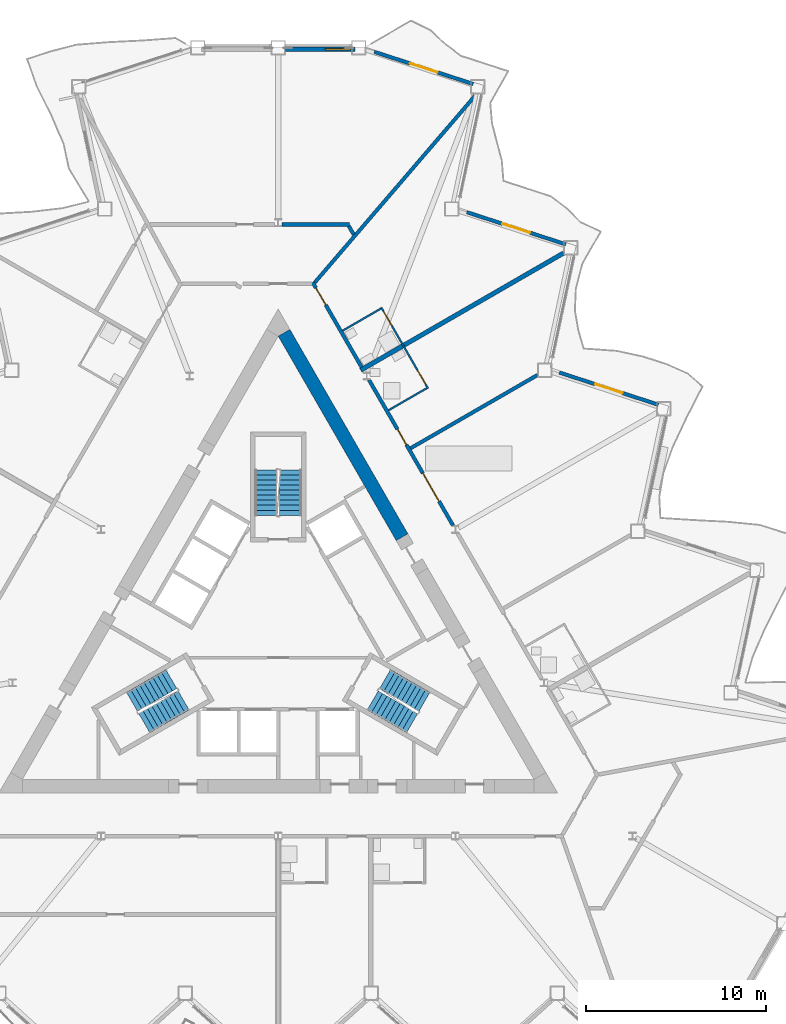
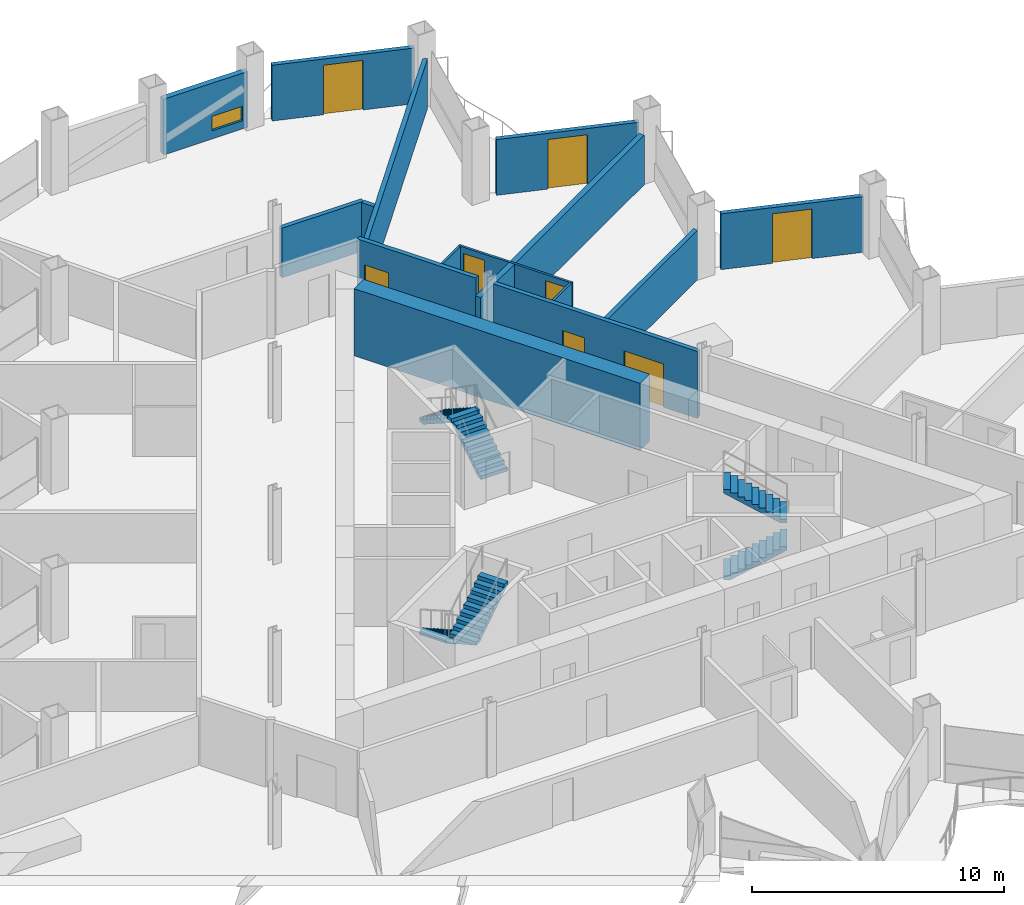
# One storey, part 14 of 22: 15 walls, 8 doors, 6 stair flights, 1 window, 9 openings, 3 elements without a shape of their own.
"""IFC4 building model written with IfcOpenShell, lengths in metres."""

from ifc_helpers import new_model, si_unit, direction, frame, frame_2d, origin, place, context, subcontext, project, spatial, polyline, rectangle, outline, extrude, material, layer, layer_set, type_object, element, fill, aggregate, save


model = new_model("IFC4")

# Units and contexts
model_context = context("Model", 3, precision=1e-05, world=origin(), true_north=direction((0.0, 1.0)))
body_context = subcontext(model_context, "Body", "Model", "MODEL_VIEW")
ifc_project = project(units=[si_unit("LENGTHUNIT", "METRE"), si_unit("AREAUNIT", "SQUARE_METRE"), si_unit("VOLUMEUNIT", "CUBIC_METRE"), si_unit("PLANEANGLEUNIT", "RADIAN"), si_unit("MASSUNIT", "GRAM", prefix="KILO")], contexts=[model_context])

# Site, building, storey
site_placement = place(None, origin())
site = spatial("IfcSite", under=ifc_project, at=site_placement, CompositionType="ELEMENT")
building_placement = place(site_placement, origin())
building = spatial("IfcBuilding", under=site, at=building_placement, Name="Cormorant Prow Tower", CompositionType="ELEMENT")
storey_placement = place(building_placement, frame((0.0, 0.0, 194.39990234375)))
storey = spatial("IfcBuildingStorey", under=building, at=storey_placement, Name="L42", CompositionType="ELEMENT", Elevation=194.39990234375)

# Wall
ifc_material_1 = material(Name="Concrete 8000 psi", Category="concrete")
ifc_layer_1 = layer(ifc_material_1, 0.75)
ifc_layer_set_1 = layer_set([ifc_layer_1], Name="Concrete 8000 psi")
wall_type_1 = type_object("IfcWallType", Name="Core shear wall 750", PredefinedType="SHEAR", material=ifc_layer_set_1)
wall_1_placement = place(storey_placement, frame((6.875244140625, 5.239501953125, 0.0), z_axis=(0.0, 0.0, 1.0), x_axis=(-0.499997217876, 0.866027010039, 0.0)))
element("IfcWall", 1, at=wall_1_placement, inside=storey, type_object=wall_type_1, Name="Core wall", PredefinedType="SHEAR", context=body_context, shape_type="SweptSolid", body=[
    extrude(rectangle(XDim=13.10107421875, YDim=0.75, at=frame_2d((6.550537109375, 0.0))), origin(), (0.0, 0.0, 1.0), 3.25),
])

# Wall, openings, doors
ifc_material_2 = material(Name="Gypsum board corridor wall")
ifc_layer_2 = layer(ifc_material_2, 0.199951171875)
ifc_layer_set_2 = layer_set([ifc_layer_2], Name="Gypsum board corridor wall")
wall_type_2 = type_object("IfcWallType", Name="Corridor wall 200", PredefinedType="PARTITIONING", material=ifc_layer_set_2)
wall_2_placement = place(storey_placement, frame((5.03759765625, 13.972412109375, 0.0), z_axis=(0.0, 0.0, 1.0), x_axis=(0.50000393355, -0.866023132736, 0.0)))
wall_2 = element("IfcWall", 2, at=wall_2_placement, inside=storey, type_object=wall_type_2, Name="Corridor wall", PredefinedType="PARTITIONING", context=body_context, shape_type="SweptSolid", body=[
    extrude(rectangle(XDim=9.3349609375, YDim=0.199951171875, at=frame_2d((4.66748046875, 0.0))), origin(), (0.0, 0.0, 1.0), 3.25),
])
opening_1_placement = place(wall_2_placement, frame((5.978515625, 0.0, 0.0)))
opening_1 = element("IfcOpeningElement", 3, at=opening_1_placement, cuts=wall_2, Name="Opening L42-F13", PredefinedType="OPENING", context=body_context, shape_type="SweptSolid", body=[
    extrude(rectangle(XDim=1.800048828125, YDim=2.10009765625, at=frame_2d((0.89990234375, 1.050048828125))), frame((0.0, 0.10986328125, 0.0), z_axis=(0.0, -1.0, 0.0), x_axis=(1.0, 0.0, 0.0)), (0.0, 0.0, 1.0), 0.219970703125),
])
opening_2_placement = place(wall_2_placement, frame((3.1630859375, 0.0, 0.0)))
opening_2 = element("IfcOpeningElement", 4, at=opening_2_placement, cuts=wall_2, Name="Opening L42-F14", PredefinedType="OPENING", context=body_context, shape_type="SweptSolid", body=[
    extrude(rectangle(XDim=1.0, YDim=2.10009765625, at=frame_2d((0.5, 1.050048828125))), frame((0.0, 0.10986328125, 0.0), z_axis=(0.0, -1.0, 0.0), x_axis=(1.0, 0.0, 0.0)), (0.0, 0.0, 1.0), 0.219970703125),
])
ifc_material_3 = material(Name="Timber door leaf", Category="wood")
door_type_1 = type_object("IfcDoorType", Name="Double door 1800x2100", OperationType="DOUBLE_DOOR_SINGLE_SWING", PredefinedType="DOOR", material=ifc_material_3)
door_1_placement = place(opening_1_placement, origin())
door_1 = element("IfcDoor", 5, at=door_1_placement, inside=storey, type_object=door_type_1, Name="Library door", OperationType="DOUBLE_DOOR_SINGLE_SWING", OverallHeight=2.10009765625, OverallWidth=1.800048828125, PredefinedType="DOOR", context=body_context, shape_type="SweptSolid", body=[
    extrude(rectangle(XDim=1.800048828125, YDim=2.10009765625, at=frame_2d((0.89990234375, 1.050048828125))), frame((0.0, 0.02490234375, 0.0), z_axis=(0.0, -1.0, 0.0), x_axis=(1.0, 0.0, 0.0)), (0.0, 0.0, 1.0), 0.050048828125),
])
fill(opening_1, door_1)
ifc_material_4 = material(Name="Timber door leaf", Category="wood")
door_type_2 = type_object("IfcDoorType", Name="Flat or room entrance door 1000x2100", OperationType="NOTDEFINED", PredefinedType="DOOR", material=ifc_material_4)
door_2_placement = place(opening_2_placement, origin())
door_2 = element("IfcDoor", 6, at=door_2_placement, inside=storey, type_object=door_type_2, Name="Guest room door", OperationType="SINGLE_SWING_RIGHT", OverallHeight=2.10009765625, OverallWidth=1.0, PredefinedType="DOOR", context=body_context, shape_type="SweptSolid", body=[
    extrude(rectangle(XDim=1.0, YDim=2.10009765625, at=frame_2d((0.5, 1.050048828125))), frame((0.0, 0.02490234375, 0.0), z_axis=(0.0, -1.0, 0.0), x_axis=(1.0, 0.0, 0.0)), (0.0, 0.0, 1.0), 0.050048828125),
])
fill(opening_2, door_2)

# Wall, opening, door
wall_3_placement = place(storey_placement, frame((1.9130859375, 19.384521484375, 0.0), z_axis=(0.0, 0.0, 1.0), x_axis=(0.499972435384, -0.866041317638, 0.0)))
wall_3 = element("IfcWall", 7, at=wall_3_placement, inside=storey, type_object=wall_type_2, Name="Corridor wall", PredefinedType="PARTITIONING", context=body_context, shape_type="SweptSolid", body=[
    extrude(rectangle(XDim=5.438720703125, YDim=0.199951171875, at=frame_2d((2.71923828125, 0.0))), origin(), (0.0, 0.0, 1.0), 3.25),
])
opening_3_placement = place(wall_3_placement, frame((0.35107421875, 0.0, 0.0)))
opening_3 = element("IfcOpeningElement", 8, at=opening_3_placement, cuts=wall_3, Name="Opening L42-F16", PredefinedType="OPENING", context=body_context, shape_type="SweptSolid", body=[
    extrude(rectangle(XDim=1.10009765625, YDim=2.10009765625, at=frame_2d((0.550048828125, 1.050048828125))), frame((0.0, 0.10986328125, 0.0), z_axis=(0.0, -1.0, 0.0), x_axis=(1.0, 0.0, 0.0)), (0.0, 0.0, 1.0), 0.219970703125),
])
ifc_material_5 = material(Name="Timber door leaf", Category="wood")
door_type_3 = type_object("IfcDoorType", Name="Suite entrance door 1100x2100", OperationType="NOTDEFINED", PredefinedType="DOOR", material=ifc_material_5)
door_3_placement = place(opening_3_placement, origin())
door_3 = element("IfcDoor", 9, at=door_3_placement, inside=storey, type_object=door_type_3, Name="Junior suite door", OperationType="SINGLE_SWING_LEFT", OverallHeight=2.10009765625, OverallWidth=1.10009765625, PredefinedType="DOOR", context=body_context, shape_type="SweptSolid", body=[
    extrude(rectangle(XDim=1.10009765625, YDim=2.10009765625, at=frame_2d((0.550048828125, 1.050048828125))), frame((0.0, 0.02490234375, 0.0), z_axis=(0.0, -1.0, 0.0), x_axis=(1.0, 0.0, 0.0)), (0.0, 0.0, 1.0), 0.050048828125),
])
fill(opening_3, door_3)

# Walls
ifc_material_6 = material(Name="Gypsum board demising wall")
ifc_layer_3 = layer(ifc_material_6, 0.199951171875)
ifc_layer_set_3 = layer_set([ifc_layer_3], Name="Gypsum board demising wall")
wall_type_3 = type_object("IfcWallType", Name="Demising wall 200", PredefinedType="PARTITIONING", material=ifc_layer_set_3)
wall_4_placement = place(storey_placement, frame((2.0283203125, 19.373779296875, 0.0), z_axis=(0.0, 0.0, 1.0), x_axis=(0.651304244859, 0.758816697647, 0.0)))
element("IfcWall", 10, at=wall_4_placement, inside=storey, type_object=wall_type_3, Name="Demising wall", PredefinedType="PARTITIONING", context=body_context, shape_type="SweptSolid", body=[
    extrude(rectangle(XDim=13.795166015625, YDim=0.199951171875, at=frame_2d((6.8974609375, 0.0))), origin(), (0.0, 0.0, 1.0), 2.404296875),
])
wall_5_placement = place(storey_placement, frame((7.345703125, 10.174560546875, 0.0), z_axis=(0.0, 0.0, 1.0), x_axis=(0.86602913801, 0.499993532075, 0.0)))
element("IfcWall", 11, at=wall_5_placement, inside=storey, type_object=wall_type_3, Name="Demising wall", PredefinedType="PARTITIONING", context=body_context, shape_type="SweptSolid", body=[
    extrude(rectangle(XDim=8.1337890625, YDim=0.199951171875, at=frame_2d((4.06689453125, 0.0))), origin(), (0.0, 0.0, 1.0), 2.404296875),
])
wall_6_placement = place(storey_placement, frame((0.213623046875, 22.597900390625, 0.0), z_axis=(0.0, 0.0, 1.0), x_axis=(1.0, 0.0, 0.0)))
element("IfcWall", 12, at=wall_6_placement, inside=storey, type_object=wall_type_3, Name="Demising wall", PredefinedType="PARTITIONING", context=body_context, shape_type="SweptSolid", body=[
    extrude(rectangle(XDim=3.754638671875, YDim=0.199951171875, at=frame_2d((1.87744140625, 0.0))), origin(), (0.0, 0.0, 1.0), 2.404296875),
])
wall_7_placement = place(storey_placement, frame((3.918212890625, 22.51123046875, 0.0), z_axis=(0.0, 0.0, 1.0), x_axis=(0.500083826171, -0.865977001312, 0.0)))
element("IfcWall", 13, at=wall_7_placement, inside=storey, type_object=wall_type_3, Name="Demising wall", PredefinedType="PARTITIONING", context=body_context, shape_type="SweptSolid", body=[
    extrude(rectangle(XDim=0.5458984375, YDim=0.199951171875, at=frame_2d((0.27294921875, 0.0))), origin(), (0.0, 0.0, 1.0), 2.404296875),
])

# Wall, openings, doors
ifc_material_7 = material(Name="Gypsum board partition")
ifc_layer_4 = layer(ifc_material_7, 0.10009765625)
ifc_layer_set_4 = layer_set([ifc_layer_4], Name="Gypsum board partition")
wall_type_4 = type_object("IfcWallType", Name="Internal partition 100", PredefinedType="PARTITIONING", material=ifc_layer_set_4)
wall_8_placement = place(storey_placement, frame((5.716552734375, 17.996337890625, 0.0), z_axis=(0.0, 0.0, 1.0), x_axis=(0.500027264788, -0.866009661879, 0.0)))
wall_8 = element("IfcWall", 14, at=wall_8_placement, inside=storey, type_object=wall_type_4, Name="Internal partition", PredefinedType="PARTITIONING", context=body_context, shape_type="SweptSolid", body=[
    extrude(rectangle(XDim=5.199951171875, YDim=0.10009765625, at=frame_2d((2.60009765625, 0.0))), origin(), (0.0, 0.0, 1.0), 2.404296875),
])
opening_4_placement = place(wall_8_placement, frame((4.0, 0.0, 0.0)))
opening_4 = element("IfcOpeningElement", 15, at=opening_4_placement, cuts=wall_8, Name="Opening L42-F15", PredefinedType="OPENING", context=body_context, shape_type="SweptSolid", body=[
    extrude(rectangle(XDim=0.949951171875, YDim=2.10009765625, at=frame_2d((0.47509765625, 1.050048828125))), frame((0.0, 0.06005859375, 0.0), z_axis=(0.0, -1.0, 0.0), x_axis=(1.0, 0.0, 0.0)), (0.0, 0.0, 1.0), 0.1201171875),
])
opening_5_placement = place(wall_8_placement, frame((0.25, 0.0, 0.0)))
opening_5 = element("IfcOpeningElement", 16, at=opening_5_placement, cuts=wall_8, Name="Opening L42-F17", PredefinedType="OPENING", context=body_context, shape_type="SweptSolid", body=[
    extrude(rectangle(XDim=0.949951171875, YDim=2.10009765625, at=frame_2d((0.47509765625, 1.050048828125))), frame((0.0, 0.06005859375, 0.0), z_axis=(0.0, -1.0, 0.0), x_axis=(1.0, 0.0, 0.0)), (0.0, 0.0, 1.0), 0.1201171875),
])
ifc_material_8 = material(Name="Timber door leaf", Category="wood")
door_type_4 = type_object("IfcDoorType", Name="Bathroom door 950x2100", OperationType="NOTDEFINED", PredefinedType="DOOR", material=ifc_material_8)
door_4_placement = place(opening_4_placement, origin())
door_4 = element("IfcDoor", 17, at=door_4_placement, inside=storey, type_object=door_type_4, Name="Guest room door", OperationType="SINGLE_SWING_RIGHT", OverallHeight=2.10009765625, OverallWidth=0.949951171875, PredefinedType="DOOR", context=body_context, shape_type="SweptSolid", body=[
    extrude(rectangle(XDim=0.949951171875, YDim=2.10009765625, at=frame_2d((0.47509765625, 1.050048828125))), frame((0.0, 0.02490234375, 0.0), z_axis=(0.0, -1.0, 0.0), x_axis=(1.0, 0.0, 0.0)), (0.0, 0.0, 1.0), 0.050048828125),
])
fill(opening_4, door_4)
door_5_placement = place(opening_5_placement, origin())
door_5 = element("IfcDoor", 18, at=door_5_placement, inside=storey, type_object=door_type_4, Name="Junior suite door", OperationType="SINGLE_SWING_LEFT", OverallHeight=2.10009765625, OverallWidth=0.949951171875, PredefinedType="DOOR", context=body_context, shape_type="SweptSolid", body=[
    extrude(rectangle(XDim=0.949951171875, YDim=2.10009765625, at=frame_2d((0.47509765625, 1.050048828125))), frame((0.0, 0.02490234375, 0.0), z_axis=(0.0, -1.0, 0.0), x_axis=(1.0, 0.0, 0.0)), (0.0, 0.0, 1.0), 0.050048828125),
])
fill(opening_5, door_5)

# Walls
wall_9_placement = place(storey_placement, frame((3.576416015625, 16.703125, 0.0), z_axis=(0.0, 0.0, 1.0), x_axis=(0.866057815567, 0.499943856944, 0.0)))
element("IfcWall", 19, at=wall_9_placement, inside=storey, type_object=wall_type_4, Name="Internal partition", PredefinedType="PARTITIONING", context=body_context, shape_type="SweptSolid", body=[
    extrude(rectangle(XDim=2.449951171875, YDim=0.10009765625, at=frame_2d((1.22509765625, 0.0))), origin(), (0.0, 0.0, 1.0), 2.404296875),
])
wall_10_placement = place(storey_placement, frame((6.12646484375, 12.286376953125, 0.0), z_axis=(0.0, 0.0, 1.0), x_axis=(0.866014668023, 0.500018594424, 0.0)))
element("IfcWall", 20, at=wall_10_placement, inside=storey, type_object=wall_type_4, Name="Internal partition", PredefinedType="PARTITIONING", context=body_context, shape_type="SweptSolid", body=[
    extrude(rectangle(XDim=2.4501953125, YDim=0.10009765625, at=frame_2d((1.22509765625, 0.0))), origin(), (0.0, 0.0, 1.0), 2.404296875),
])
ifc_material_9 = material(Name="Acoustic gypsum party wall")
ifc_layer_5 = layer(ifc_material_9, 0.25)
ifc_layer_set_5 = layer_set([ifc_layer_5], Name="Acoustic gypsum party wall")
wall_type_5 = type_object("IfcWallType", Name="Suite party wall 250", PredefinedType="PARTITIONING", material=ifc_layer_set_5)
wall_11_placement = place(storey_placement, frame((4.581787109375, 14.51220703125, 0.0), z_axis=(0.0, 0.0, 1.0), x_axis=(0.866027263711, 0.4999967785, 0.0)))
element("IfcWall", 21, at=wall_11_placement, inside=storey, type_object=wall_type_5, Name="Suite party wall", PredefinedType="PARTITIONING", context=body_context, shape_type="SweptSolid", body=[
    extrude(rectangle(XDim=12.99365234375, YDim=0.25, at=frame_2d((6.496826171875, 0.0))), origin(), (0.0, 0.0, 1.0), 2.404296875),
])

# Wall, opening, window
ifc_material_10 = material(Name="Terracotta", Category="masonry")
ifc_layer_6 = layer(ifc_material_10, 0.25)
ifc_layer_set_6 = layer_set([ifc_layer_6], Name="Terracotta")
wall_type_6 = type_object("IfcWallType", Name="Terracotta bay wall 250", PredefinedType="SOLIDWALL", material=ifc_layer_set_6)
wall_12_placement = place(storey_placement, frame((4.251708984375, 32.324951171875, 0.0), z_axis=(0.0, 0.0, 1.0), x_axis=(-1.0, 0.0, 0.0)))
wall_12 = element("IfcWall", 22, at=wall_12_placement, inside=storey, type_object=wall_type_6, Name="Terracotta bay wall N00", PredefinedType="SOLIDWALL", context=body_context, shape_type="SweptSolid", body=[
    extrude(rectangle(XDim=3.851806640625, YDim=0.25, at=frame_2d((1.92578125, 0.0))), origin(), (0.0, 0.0, 1.0), 2.700927734375),
])
opening_6_placement = place(wall_12_placement, frame((0.25, 0.0, 0.39990234375)))
opening_6 = element("IfcOpeningElement", 23, at=opening_6_placement, cuts=wall_12, Name="Opening WN4", PredefinedType="OPENING", context=body_context, shape_type="SweptSolid", body=[
    extrude(rectangle(XDim=1.39990234375, YDim=0.699951171875, at=frame_2d((0.699951171875, 0.35009765625))), frame((0.0, 0.135009765625, 0.0), z_axis=(0.0, -1.0, 0.0), x_axis=(1.0, 0.0, 0.0)), (0.0, 0.0, 1.0), 0.27001953125),
])
ifc_material_11 = material(Name="Aluminium 6063-T6", Category="aluminium")
window_type = type_object("IfcWindowType", Name="Corner bay window 1400x700", PartitioningType="SINGLE_PANEL", PredefinedType="WINDOW", material=ifc_material_11)
window_placement = place(opening_6_placement, origin())
window = element("IfcWindow", 24, at=window_placement, inside=storey, type_object=window_type, Name="Corner bay window N00", OverallHeight=0.699951171875, OverallWidth=1.39990234375, PartitioningType="SINGLE_PANEL", PredefinedType="WINDOW", context=body_context, shape_type="SweptSolid", body=[
    extrude(rectangle(XDim=1.39990234375, YDim=0.699951171875, at=frame_2d((0.699951171875, 0.35009765625))), frame((0.0, 0.030029296875, 0.0), z_axis=(0.0, -1.0, 0.0), x_axis=(1.0, 0.0, 0.0)), (0.0, 0.0, 1.0), 0.06005859375),
])
fill(opening_6, window)

# Wall, opening, door
ifc_material_12 = material(Name="Terracotta", Category="masonry")
ifc_layer_7 = layer(ifc_material_12, 0.199951171875)
ifc_layer_set_7 = layer_set([ifc_layer_7], Name="Terracotta")
wall_type_7 = type_object("IfcWallType", Name="Terracotta jamb wall 200", PredefinedType="SOLIDWALL", material=ifc_layer_set_7)
wall_13_placement = place(storey_placement, frame((21.101806640625, 12.59326171875, 0.0), z_axis=(0.0, 0.0, 1.0), x_axis=(-0.951059834965, 0.309006780371, 0.0)))
wall_13 = element("IfcWall", 25, at=wall_13_placement, inside=storey, type_object=wall_type_7, Name="Terracotta jamb wall ENE05", PredefinedType="SOLIDWALL", context=body_context, shape_type="SweptSolid", body=[
    extrude(rectangle(XDim=5.778564453125, YDim=0.199951171875, at=frame_2d((2.88916015625, 0.0))), origin(), (0.0, 0.0, 1.0), 2.700927734375),
])
opening_7_placement = place(wall_13_placement, frame((2.08935546875, 0.0, 0.0)))
opening_7 = element("IfcOpeningElement", 26, at=opening_7_placement, cuts=wall_13, Name="Opening ED42.08", PredefinedType="OPENING", context=body_context, shape_type="SweptSolid", body=[
    extrude(rectangle(XDim=1.60009765625, YDim=2.39990234375, at=frame_2d((0.800048828125, 1.199951171875))), frame((0.0, 0.10986328125, 0.0), z_axis=(0.0, -1.0, 0.0), x_axis=(1.0, 0.0, 0.0)), (0.0, 0.0, 1.0), 0.219970703125),
])
ifc_material_13 = material(Name="Aluminium 6063-T6", Category="aluminium")
door_type_5 = type_object("IfcDoorType", Name="Balcony door 1600x2400", OperationType="DOUBLE_DOOR_SINGLE_SWING", PredefinedType="DOOR", material=ifc_material_13)
door_6_placement = place(opening_7_placement, origin())
door_6 = element("IfcDoor", 27, at=door_6_placement, inside=storey, type_object=door_type_5, Name="Balcony door ENE05 ED42.08", OperationType="DOUBLE_DOOR_SINGLE_SWING", OverallHeight=2.39990234375, OverallWidth=1.60009765625, PredefinedType="DOOR", context=body_context, shape_type="SweptSolid", body=[
    extrude(rectangle(XDim=1.60009765625, YDim=2.39990234375, at=frame_2d((0.800048828125, 1.199951171875))), frame((0.0, 0.02490234375, 0.0), z_axis=(0.0, -1.0, 0.0), x_axis=(1.0, 0.0, 0.0)), (0.0, 0.0, 1.0), 0.050048828125),
])
fill(opening_7, door_6)

wall_14_placement = place(storey_placement, frame((15.96337890625, 21.493408203125, 0.0), z_axis=(0.0, 0.0, 1.0), x_axis=(-0.951059834965, 0.309006780371, 0.0)))
wall_14 = element("IfcWall", 28, at=wall_14_placement, inside=storey, type_object=wall_type_7, Name="Terracotta jamb wall ENE07", PredefinedType="SOLIDWALL", context=body_context, shape_type="SweptSolid", body=[
    extrude(rectangle(XDim=5.778564453125, YDim=0.199951171875, at=frame_2d((2.88916015625, 0.0))), origin(), (0.0, 0.0, 1.0), 2.700927734375),
])
opening_8_placement = place(wall_14_placement, frame((2.08935546875, 0.0, 0.0)))
opening_8 = element("IfcOpeningElement", 29, at=opening_8_placement, cuts=wall_14, Name="Opening ED42.09", PredefinedType="OPENING", context=body_context, shape_type="SweptSolid", body=[
    extrude(rectangle(XDim=1.60009765625, YDim=2.39990234375, at=frame_2d((0.800048828125, 1.199951171875))), frame((0.0, 0.10986328125, 0.0), z_axis=(0.0, -1.0, 0.0), x_axis=(1.0, 0.0, 0.0)), (0.0, 0.0, 1.0), 0.219970703125),
])
door_7_placement = place(opening_8_placement, origin())
door_7 = element("IfcDoor", 30, at=door_7_placement, inside=storey, type_object=door_type_5, Name="Balcony door ENE07 ED42.09", OperationType="DOUBLE_DOOR_SINGLE_SWING", OverallHeight=2.39990234375, OverallWidth=1.60009765625, PredefinedType="DOOR", context=body_context, shape_type="SweptSolid", body=[
    extrude(rectangle(XDim=1.60009765625, YDim=2.39990234375, at=frame_2d((0.800048828125, 1.199951171875))), frame((0.0, 0.02490234375, 0.0), z_axis=(0.0, -1.0, 0.0), x_axis=(1.0, 0.0, 0.0)), (0.0, 0.0, 1.0), 0.050048828125),
])
fill(opening_8, door_7)

wall_15_placement = place(storey_placement, frame((10.82470703125, 30.3935546875, 0.0), z_axis=(0.0, 0.0, 1.0), x_axis=(-0.9510558006, 0.30901919705, 0.0)))
wall_15 = element("IfcWall", 31, at=wall_15_placement, inside=storey, type_object=wall_type_7, Name="Terracotta jamb wall ENE09", PredefinedType="SOLIDWALL", context=body_context, shape_type="SweptSolid", body=[
    extrude(rectangle(XDim=5.7783203125, YDim=0.199951171875, at=frame_2d((2.88916015625, 0.0))), origin(), (0.0, 0.0, 1.0), 2.700927734375),
])
opening_9_placement = place(wall_15_placement, frame((2.08935546875, 0.0, 0.0)))
opening_9 = element("IfcOpeningElement", 32, at=opening_9_placement, cuts=wall_15, Name="Opening ED42.10", PredefinedType="OPENING", context=body_context, shape_type="SweptSolid", body=[
    extrude(rectangle(XDim=1.60009765625, YDim=2.39990234375, at=frame_2d((0.800048828125, 1.199951171875))), frame((0.0, 0.10986328125, 0.0), z_axis=(0.0, -1.0, 0.0), x_axis=(1.0, 0.0, 0.0)), (0.0, 0.0, 1.0), 0.219970703125),
])
door_8_placement = place(opening_9_placement, origin())
door_8 = element("IfcDoor", 33, at=door_8_placement, inside=storey, type_object=door_type_5, Name="Balcony door ENE09 ED42.10", OperationType="DOUBLE_DOOR_SINGLE_SWING", OverallHeight=2.39990234375, OverallWidth=1.60009765625, PredefinedType="DOOR", context=body_context, shape_type="SweptSolid", body=[
    extrude(rectangle(XDim=1.60009765625, YDim=2.39990234375, at=frame_2d((0.800048828125, 1.199951171875))), frame((0.0, 0.02490234375, 0.0), z_axis=(0.0, -1.0, 0.0), x_axis=(1.0, 0.0, 0.0)), (0.0, 0.0, 1.0), 0.050048828125),
])
fill(opening_9, door_8)

# Stair, stair flights
ifc_material_14 = material(Name="Exit stair 20 risers")
stair_type = type_object("IfcStairType", Name="Exit stair 20 risers", PredefinedType="HALF_TURN_STAIR", material=ifc_material_14)
stair_1_placement = place(storey_placement, origin())
stair_1 = element("IfcStair", 34, at=stair_1_placement, inside=storey, type_object=stair_type, Name="L42 Exit stair ST1", PredefinedType="HALF_TURN_STAIR")
ifc_material_15 = material(Name="Concrete 5000 psi", Category="concrete")
stair_flight_type = type_object("IfcStairFlightType", Name="Stair flight 1219", PredefinedType="STRAIGHT", material=ifc_material_15)
stair_flight_1_placement = place(storey_placement, frame((-5.93310546875, -2.635009765625, 0.0), z_axis=(0.0, 0.0, 1.0), x_axis=(-0.866025403784, -0.5, 0.0)))
stair_flight_1 = element("IfcStairFlight", 35, at=stair_flight_1_placement, type_object=stair_flight_type, Name="ST1 flight 1", NumberOfRisers=10, NumberOfTreads=9, PredefinedType="STRAIGHT", RiserHeight=0.18, TreadLength=0.28, context=body_context, shape_type="SweptSolid", body=[
    extrude(outline(polyline([(0.0, 0.0), (0.0, 0.179931640625), (0.280029296875, 0.179931640625), (0.280029296875, 0.360107421875), (0.56005859375, 0.360107421875), (0.56005859375, 0.5400390625), (0.840087890625, 0.5400390625), (0.840087890625, 0.719970703125), (1.1201171875, 0.719970703125), (1.1201171875, 0.89990234375), (1.39990234375, 0.89990234375), (1.39990234375, 1.080078125), (1.679931640625, 1.080078125), (1.679931640625, 1.260009765625), (1.9599609375, 1.260009765625), (1.9599609375, 1.43994140625), (2.239990234375, 1.43994140625), (2.239990234375, 1.6201171875), (2.52001953125, 1.6201171875), (2.52001953125, 1.800048828125), (2.52001953125, 1.44189453125), (0.277099609375, 0.0), (0.0, 0.0)])), frame((0.0, 0.609375, 0.0), z_axis=(0.0, -1.0, 0.0), x_axis=(1.0, 0.0, 0.0)), (0.0, 0.0, 1.0), 1.218994140625),
])
stair_flight_2_placement = place(storey_placement, frame((-7.43115234375, -5.080810546875, 1.800048828125), z_axis=(0.0, 0.0, 1.0), x_axis=(0.866025403784, 0.5, 0.0)))
stair_flight_2 = element("IfcStairFlight", 36, at=stair_flight_2_placement, type_object=stair_flight_type, Name="ST1 flight 2", NumberOfRisers=10, NumberOfTreads=9, PredefinedType="STRAIGHT", RiserHeight=0.18, TreadLength=0.28, context=body_context, shape_type="SweptSolid", body=[
    extrude(outline(polyline([(0.0, 0.0), (0.0, 0.179931640625), (0.280029296875, 0.179931640625), (0.280029296875, 0.360107421875), (0.56005859375, 0.360107421875), (0.56005859375, 0.5400390625), (0.840087890625, 0.5400390625), (0.840087890625, 0.719970703125), (1.1201171875, 0.719970703125), (1.1201171875, 0.89990234375), (1.39990234375, 0.89990234375), (1.39990234375, 1.080078125), (1.679931640625, 1.080078125), (1.679931640625, 1.260009765625), (1.9599609375, 1.260009765625), (1.9599609375, 1.43994140625), (2.239990234375, 1.43994140625), (2.239990234375, 1.6201171875), (2.52001953125, 1.6201171875), (2.52001953125, 1.800048828125), (2.52001953125, 1.44189453125), (0.277099609375, 0.0), (0.0, 0.0)])), frame((0.0, 0.609375, 0.0), z_axis=(0.0, -1.0, 0.0), x_axis=(1.0, 0.0, 0.0)), (0.0, 0.0, 1.0), 1.218994140625),
])
aggregate(stair_1, [stair_flight_1, stair_flight_2])

stair_2_placement = place(storey_placement, origin())
stair_2 = element("IfcStair", 37, at=stair_2_placement, inside=storey, type_object=stair_type, Name="L42 Exit stair ST2", PredefinedType="HALF_TURN_STAIR")
stair_flight_3_placement = place(storey_placement, frame((5.24853515625, -3.82080078125, 0.0), z_axis=(0.0, 0.0, 1.0), x_axis=(0.866025403784, -0.5, 0.0)))
stair_flight_3 = element("IfcStairFlight", 38, at=stair_flight_3_placement, type_object=stair_flight_type, Name="ST2 flight 1", NumberOfRisers=10, NumberOfTreads=9, PredefinedType="STRAIGHT", RiserHeight=0.18, TreadLength=0.28, context=body_context, shape_type="SweptSolid", body=[
    extrude(outline(polyline([(0.0, 0.0), (0.0, 0.179931640625), (0.280029296875, 0.179931640625), (0.280029296875, 0.360107421875), (0.56005859375, 0.360107421875), (0.56005859375, 0.5400390625), (0.840087890625, 0.5400390625), (0.840087890625, 0.719970703125), (1.1201171875, 0.719970703125), (1.1201171875, 0.89990234375), (1.39990234375, 0.89990234375), (1.39990234375, 1.080078125), (1.679931640625, 1.080078125), (1.679931640625, 1.260009765625), (1.9599609375, 1.260009765625), (1.9599609375, 1.43994140625), (2.239990234375, 1.43994140625), (2.239990234375, 1.6201171875), (2.52001953125, 1.6201171875), (2.52001953125, 1.800048828125), (2.52001953125, 1.44189453125), (0.277099609375, 0.0), (0.0, 0.0)])), frame((0.0, 0.609375, 0.0), z_axis=(0.0, -1.0, 0.0), x_axis=(1.0, 0.0, 0.0)), (0.0, 0.0, 1.0), 1.218994140625),
])
stair_flight_4_placement = place(storey_placement, frame((8.115478515625, -3.89501953125, 1.800048828125), z_axis=(0.0, 0.0, 1.0), x_axis=(-0.866025403784, 0.5, 0.0)))
stair_flight_4 = element("IfcStairFlight", 39, at=stair_flight_4_placement, type_object=stair_flight_type, Name="ST2 flight 2", NumberOfRisers=10, NumberOfTreads=9, PredefinedType="STRAIGHT", RiserHeight=0.18, TreadLength=0.28, context=body_context, shape_type="SweptSolid", body=[
    extrude(outline(polyline([(0.0, 0.0), (0.0, 0.179931640625), (0.280029296875, 0.179931640625), (0.280029296875, 0.360107421875), (0.56005859375, 0.360107421875), (0.56005859375, 0.5400390625), (0.840087890625, 0.5400390625), (0.840087890625, 0.719970703125), (1.1201171875, 0.719970703125), (1.1201171875, 0.89990234375), (1.39990234375, 0.89990234375), (1.39990234375, 1.080078125), (1.679931640625, 1.080078125), (1.679931640625, 1.260009765625), (1.9599609375, 1.260009765625), (1.9599609375, 1.43994140625), (2.239990234375, 1.43994140625), (2.239990234375, 1.6201171875), (2.52001953125, 1.6201171875), (2.52001953125, 1.800048828125), (2.52001953125, 1.44189453125), (0.277099609375, 0.0), (0.0, 0.0)])), frame((0.0, 0.609375, 0.0), z_axis=(0.0, -1.0, 0.0), x_axis=(1.0, 0.0, 0.0)), (0.0, 0.0, 1.0), 1.218994140625),
])
aggregate(stair_2, [stair_flight_3, stair_flight_4])

stair_3_placement = place(storey_placement, origin())
stair_3 = element("IfcStair", 40, at=stair_3_placement, inside=storey, type_object=stair_type, Name="L42 Exit stair ST3", PredefinedType="HALF_TURN_STAIR")
stair_flight_5_placement = place(storey_placement, frame((0.6845703125, 6.455810546875, 0.0), z_axis=(0.0, 0.0, 1.0), x_axis=(0.0, 1.0, 0.0)))
stair_flight_5 = element("IfcStairFlight", 41, at=stair_flight_5_placement, type_object=stair_flight_type, Name="ST3 flight 1", NumberOfRisers=10, NumberOfTreads=9, PredefinedType="STRAIGHT", RiserHeight=0.18, TreadLength=0.28, context=body_context, shape_type="SweptSolid", body=[
    extrude(outline(polyline([(0.0, 0.0), (0.0, 0.179931640625), (0.280029296875, 0.179931640625), (0.280029296875, 0.360107421875), (0.56005859375, 0.360107421875), (0.56005859375, 0.5400390625), (0.840087890625, 0.5400390625), (0.840087890625, 0.719970703125), (1.1201171875, 0.719970703125), (1.1201171875, 0.89990234375), (1.39990234375, 0.89990234375), (1.39990234375, 1.080078125), (1.679931640625, 1.080078125), (1.679931640625, 1.260009765625), (1.9599609375, 1.260009765625), (1.9599609375, 1.43994140625), (2.239990234375, 1.43994140625), (2.239990234375, 1.6201171875), (2.52001953125, 1.6201171875), (2.52001953125, 1.800048828125), (2.52001953125, 1.44189453125), (0.277099609375, 0.0), (0.0, 0.0)])), frame((0.0, 0.609375, 0.0), z_axis=(0.0, -1.0, 0.0), x_axis=(1.0, 0.0, 0.0)), (0.0, 0.0, 1.0), 1.218994140625),
])
stair_flight_6_placement = place(storey_placement, frame((-0.6845703125, 8.975830078125, 1.800048828125), z_axis=(0.0, 0.0, 1.0), x_axis=(0.0, -1.0, 0.0)))
stair_flight_6 = element("IfcStairFlight", 42, at=stair_flight_6_placement, type_object=stair_flight_type, Name="ST3 flight 2", NumberOfRisers=10, NumberOfTreads=9, PredefinedType="STRAIGHT", RiserHeight=0.18, TreadLength=0.28, context=body_context, shape_type="SweptSolid", body=[
    extrude(outline(polyline([(0.0, 0.0), (0.0, 0.179931640625), (0.280029296875, 0.179931640625), (0.280029296875, 0.360107421875), (0.56005859375, 0.360107421875), (0.56005859375, 0.5400390625), (0.840087890625, 0.5400390625), (0.840087890625, 0.719970703125), (1.1201171875, 0.719970703125), (1.1201171875, 0.89990234375), (1.39990234375, 0.89990234375), (1.39990234375, 1.080078125), (1.679931640625, 1.080078125), (1.679931640625, 1.260009765625), (1.9599609375, 1.260009765625), (1.9599609375, 1.43994140625), (2.239990234375, 1.43994140625), (2.239990234375, 1.6201171875), (2.52001953125, 1.6201171875), (2.52001953125, 1.800048828125), (2.52001953125, 1.44189453125), (0.277099609375, 0.0), (0.0, 0.0)])), frame((0.0, 0.609375, 0.0), z_axis=(0.0, -1.0, 0.0), x_axis=(1.0, 0.0, 0.0)), (0.0, 0.0, 1.0), 1.218994140625),
])
aggregate(stair_3, [stair_flight_5, stair_flight_6])

save(model, "model.ifc")
